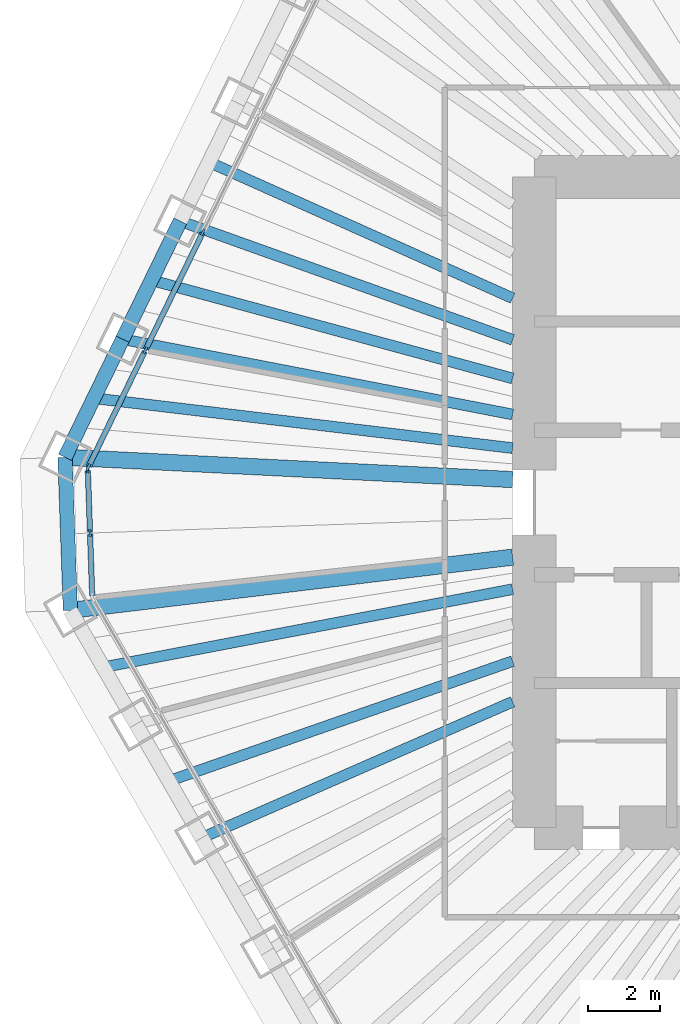
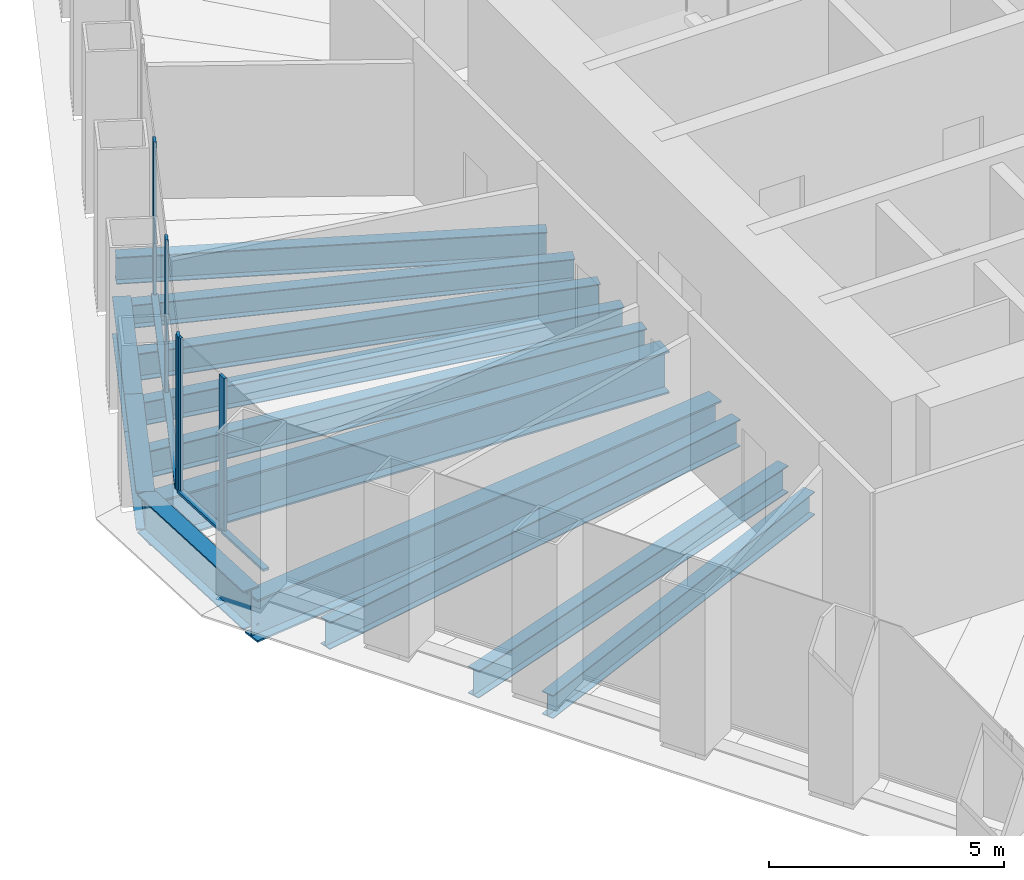
# One storey, part 3 of 13: 13 beams, 9 members, 2 elements without a shape of their own.
"""IFC4 building model written with IfcOpenShell, lengths in metres."""

import ifcopenshell
import ifcopenshell.guid

model = None  # the IFC model being written
_history = None  # IfcOwnerHistory: only IFC2X3 demands one
_inside = {}  # id of a spatial element -> (the spatial element, [elements in it])
_under = {}  # id of a project, library or spatial element -> (it, [spatial elements below it])
_declared = {}  # id of a project -> (the project, [libraries it declares])
_typed = {}  # id of a type object -> (the type object, [elements of that type])
_made_of = {}  # id of a material, layer set ... -> (it, [elements and type objects made of it])


def new_model(schema):
    """Start an empty IFC model of exactly this schema.

    Asked for "IFC4X3", IfcOpenShell would pick the latest addendum, in which some entities
    have other attributes; the version numbers below select the first issue.
    IFC2X3 requires an IfcOwnerHistory on every rooted entity: one is made here for all.
    """
    global model, _history
    if schema == "IFC4X3":
        model = ifcopenshell.file(schema_version=(4, 3, 0, 0))
    else:
        model = ifcopenshell.file(schema=schema)
    _inside.clear()
    _under.clear()
    _declared.clear()
    _typed.clear()
    _made_of.clear()
    _history = None
    if model.schema == "IFC2X3":
        org = make("IfcOrganization", Name="unknown")
        user = make(
            "IfcPersonAndOrganization",
            ThePerson=make("IfcPerson", FamilyName="unknown"),
            TheOrganization=org,
        )
        app = make(
            "IfcApplication",
            ApplicationDeveloper=org,
            Version="unknown",
            ApplicationFullName="unknown",
            ApplicationIdentifier="unknown",
        )
        _history = make(
            "IfcOwnerHistory",
            OwningUser=user,
            OwningApplication=app,
            ChangeAction="ADDED",
            CreationDate=0,
        )
    return model


def make(cls, **values):
    """One entity of the class cls with the attributes given. An attribute that is None is left unset."""
    return model.create_entity(
        cls, **{name: value for name, value in values.items() if value is not None}
    )


def rooted(cls, **values):
    """An entity with a GlobalId (a new one), such as an element, a storey or a relation."""
    return make(cls, GlobalId=ifcopenshell.guid.new(), OwnerHistory=_history, **values)


def si_unit(unit_type, name, prefix=None):
    """IfcSIUnit, for example si_unit("LENGTHUNIT", "METRE", prefix="MILLI")."""
    return make("IfcSIUnit", UnitType=unit_type, Prefix=prefix, Name=name)


def assignment(units):
    """IfcUnitAssignment: the units of a project."""
    return None if units is None else make("IfcUnitAssignment", Units=units)


def point(xyz):
    """IfcCartesianPoint."""
    return None if xyz is None else make("IfcCartesianPoint", Coordinates=xyz)


def direction(xyz):
    """IfcDirection."""
    return None if xyz is None else make("IfcDirection", DirectionRatios=xyz)


def frame(location, z_axis=None, x_axis=None):
    """IfcAxis2Placement3D, a coordinate frame: its origin and axes. An axis left out is left unset."""
    return make(
        "IfcAxis2Placement3D",
        Location=point(location),
        Axis=direction(z_axis),
        RefDirection=direction(x_axis),
    )


def frame_2d(location, x_axis=None):
    """IfcAxis2Placement2D, a coordinate frame in the plane: its origin and x axis."""
    return make(
        "IfcAxis2Placement2D", Location=point(location), RefDirection=direction(x_axis)
    )


def origin():
    """The frame at (0, 0, 0) with its axes left unset."""
    return frame((0.0, 0.0, 0.0))


def origin_2d():
    """The frame at (0, 0) in the plane with its x axis left unset."""
    return frame_2d((0.0, 0.0))


def place(relative_to, where):
    """IfcLocalPlacement: puts the frame where relative to a parent placement (None: the world)."""
    return make(
        "IfcLocalPlacement", PlacementRelTo=relative_to, RelativePlacement=where
    )


def context(
    kind, dimensions, precision=None, world=None, true_north=None, identifier=None
):
    """IfcGeometricRepresentationContext, for example the 3D "Model" context."""
    return make(
        "IfcGeometricRepresentationContext",
        ContextIdentifier=identifier,
        ContextType=kind,
        CoordinateSpaceDimension=dimensions,
        Precision=precision,
        WorldCoordinateSystem=world,
        TrueNorth=true_north,
    )


def subcontext(parent, identifier, kind, view, scale=None):
    """IfcGeometricRepresentationSubContext, for example "Body" below "Model"."""
    return make(
        "IfcGeometricRepresentationSubContext",
        ContextIdentifier=identifier,
        ContextType=kind,
        ParentContext=parent,
        TargetScale=scale,
        TargetView=view,
    )


def project(units=None, contexts=None):
    """IfcProject with its units and contexts."""
    return rooted(
        "IfcProject",
        Name="project",
        RepresentationContexts=contexts,
        UnitsInContext=assignment(units),
    )


def spatial(cls, under=None, at=None, **own):
    """A site, building, storey or space (cls), placed at a placement, below another one or the project."""
    s = rooted(cls, ObjectPlacement=at, **own)
    if under is not None:
        _under.setdefault(under.id(), (under, []))[1].append(s)
    return s


def profile(cls, at=None, kind="AREA", **sizes):
    """A parametric profile (cls). Its sizes go by their IFC names, for example OverallWidth=200.0."""
    return make(cls, ProfileType=kind, Position=at, **sizes)


def rectangle(**sizes):
    """IfcRectangleProfileDef."""
    return profile("IfcRectangleProfileDef", **sizes)


def i_section(**sizes):
    """IfcIShapeProfileDef."""
    return profile("IfcIShapeProfileDef", **sizes)


def extrude(swept, where, along, depth):
    """IfcExtrudedAreaSolid: the profile swept, set in the frame where, extruded along a direction by depth."""
    return make(
        "IfcExtrudedAreaSolid",
        SweptArea=swept,
        Position=where,
        ExtrudedDirection=direction(along),
        Depth=depth,
    )


def shape(context_of_items, identifier, shape_type, items):
    """IfcShapeRepresentation: the items that make up one representation, for example the "Body"."""
    return make(
        "IfcShapeRepresentation",
        ContextOfItems=context_of_items,
        RepresentationIdentifier=identifier,
        RepresentationType=shape_type,
        Items=items,
    )


def material(Name=None, Category=None):
    """IfcMaterial."""
    return make("IfcMaterial", Name=Name, Category=Category)


def material_profile(
    of_material, cross_section, Name=None, Category=None, Priority=None
):
    """IfcMaterialProfile: a cross section and its material."""
    return make(
        "IfcMaterialProfile",
        Name=Name,
        Material=of_material,
        Profile=cross_section,
        Priority=Priority,
        Category=Category,
    )


def profile_set(profiles, Name=None, composite=None):
    """IfcMaterialProfileSet."""
    return make(
        "IfcMaterialProfileSet",
        Name=Name,
        MaterialProfiles=profiles,
        CompositeProfile=composite,
    )


def made_of(thing, what):
    """Note that an element or type object is made of a material, layer set ...; save() writes the relation."""
    if what is not None:
        _made_of.setdefault(what.id(), (what, []))[1].append(thing)
    return thing


def type_object(cls, material=None, **own):
    """A type object (cls), such as IfcWallType, which elements share."""
    return made_of(rooted(cls, **own), material)


def element(
    cls,
    number,
    at=None,
    inside=None,
    cuts=None,
    type_object=None,
    material=None,
    context=None,
    identifier="Body",
    shape_type=None,
    held_by="IfcProductDefinitionShape",
    body=None,
    shapes=None,
    **own,
):
    """One element of the class cls, such as IfcWall. Its Tag is "e" and its number.

    at: its placement. inside: the storey or other place that contains it. cuts: it is an
    opening in that element (IfcRelVoidsElement). A single representation is given by context,
    identifier, shape_type and body (its items); several are given by shapes. held_by: the class
    of the entity that holds the representations. save() writes the other relations.
    """
    e = rooted(cls, Tag="e%d" % number, ObjectPlacement=at, **own)
    if body is not None:
        shapes = [shape(context, identifier, shape_type, body)]
    if shapes is not None:
        e.Representation = make(held_by, Representations=shapes)
    if inside is not None:
        _inside.setdefault(inside.id(), (inside, []))[1].append(e)
    if cuts is not None:
        rooted(
            "IfcRelVoidsElement", RelatingBuildingElement=cuts, RelatedOpeningElement=e
        )
    if type_object is not None:
        _typed.setdefault(type_object.id(), (type_object, []))[1].append(e)
    return made_of(e, material)


def aggregate(whole, parts):
    """IfcRelAggregates: a whole, such as a stair, and the parts it consists of."""
    return rooted("IfcRelAggregates", RelatingObject=whole, RelatedObjects=parts)


def save(model, path):
    """Write the relations noted so far, then the file.

    IfcRelAggregates (storeys below a building ...), IfcRelContainedInSpatialStructure (elements
    in a storey), IfcRelDefinesByType, IfcRelAssociatesMaterial and IfcRelDeclares: one each for
    every whole, place, type object, material and project.
    """
    for whole, parts in _under.values():
        aggregate(whole, parts)
    for where, things in _inside.values():
        rooted(
            "IfcRelContainedInSpatialStructure",
            RelatedElements=things,
            RelatingStructure=where,
        )
    for kind, things in _typed.values():
        rooted("IfcRelDefinesByType", RelatedObjects=things, RelatingType=kind)
    for what, things in _made_of.values():
        rooted("IfcRelAssociatesMaterial", RelatedObjects=things, RelatingMaterial=what)
    for by, libraries in _declared.values():
        rooted("IfcRelDeclares", RelatingContext=by, RelatedDefinitions=libraries)
    model.write(path)


model = new_model("IFC4")

# Units and contexts
model_context = context("Model", 3, precision=1e-05, world=origin(), true_north=direction((0.0, 1.0)))
body_context = subcontext(model_context, "Body", "Model", "MODEL_VIEW")
ifc_project = project(units=[si_unit("LENGTHUNIT", "METRE"), si_unit("AREAUNIT", "SQUARE_METRE"), si_unit("VOLUMEUNIT", "CUBIC_METRE"), si_unit("PLANEANGLEUNIT", "RADIAN"), si_unit("MASSUNIT", "GRAM", prefix="KILO")], contexts=[model_context])

# Site, building, storey
site_placement = place(None, origin())
site = spatial("IfcSite", under=ifc_project, at=site_placement, CompositionType="ELEMENT")
building_placement = place(site_placement, origin())
building = spatial("IfcBuilding", under=site, at=building_placement, Name="Qingtian Harvest Tower", CompositionType="ELEMENT")
storey_placement = place(building_placement, frame((0.0, 0.0, 218.199951171875)))
storey = spatial("IfcBuildingStorey", under=building, at=storey_placement, Name="L47", CompositionType="ELEMENT", Elevation=218.199951171875)

# Beams
ifc_material_1 = material(Name="Steel SM570MC", Category="steel")
ifc_material_profile_1 = material_profile(ifc_material_1, i_section(OverallWidth=0.449951171875, OverallDepth=1.10009765625, WebThickness=0.02197265625, FlangeThickness=0.044921875, at=origin_2d()), Name="H1100x450x22x45")
ifc_profile_set_1 = profile_set([ifc_material_profile_1], Name="Steel SM570MC")
beam_type_1 = type_object("IfcBeamType", Name="Corner floor beam FB8 H1100x450x22x45", PredefinedType="BEAM", material=ifc_profile_set_1)
beam_1_placement = place(storey_placement, frame((-24.833251953125, -2.987548828125, -0.719970703125), z_axis=(0.992841259631, 0.119441337798, 0.0), x_axis=(-0.119441337798, 0.992841259631, 0.0)))
element("IfcBeam", 1, at=beam_1_placement, inside=storey, type_object=beam_type_1, Name="Floor beam FB8 SW6", PredefinedType="BEAM", context=body_context, shape_type="SweptSolid", body=[
    extrude(i_section(OverallWidth=0.449951171875, OverallDepth=1.10009765625, WebThickness=0.02197265625, FlangeThickness=0.044921875, at=origin_2d()), origin(), (0.0, 0.0, 1.0), 12.3212890625),
])
beam_2_placement = place(storey_placement, frame((-24.981201171875, 1.248046875, -0.719970703125), z_axis=(0.998753959075, -0.049905202459, 0.0), x_axis=(0.049905202459, 0.998753959075, 0.0)))
element("IfcBeam", 2, at=beam_2_placement, inside=storey, type_object=beam_type_1, Name="Floor beam FB8 NW0", PredefinedType="BEAM", context=body_context, shape_type="SweptSolid", body=[
    extrude(i_section(OverallWidth=0.449951171875, OverallDepth=1.10009765625, WebThickness=0.02197265625, FlangeThickness=0.044921875, at=origin_2d()), origin(), (0.0, 0.0, 1.0), 12.396484375),
])
ifc_material_2 = material(Name="Steel SN490B", Category="steel")
ifc_material_profile_2 = material_profile(ifc_material_2, i_section(OverallWidth=0.300048828125, OverallDepth=0.60009765625, WebThickness=0.011962890625, FlangeThickness=0.02001953125, at=origin_2d()), Name="H600x300x12x20")
ifc_profile_set_2 = profile_set([ifc_material_profile_2], Name="Steel SN490B")
beam_type_2 = type_object("IfcBeamType", Name="Floor beam FB3 H600x300x12x20", PredefinedType="BEAM", material=ifc_profile_set_2)
beam_3_placement = place(storey_placement, frame((-21.19970703125, -9.281005859375, -0.469970703125), z_axis=(0.916057031544, 0.401048020765, 0.0), x_axis=(-0.401048020765, 0.916057031544, 0.0)))
element("IfcBeam", 3, at=beam_3_placement, inside=storey, type_object=beam_type_2, Name="Floor beam FB3 SW4", PredefinedType="BEAM", context=body_context, shape_type="SweptSolid", body=[
    extrude(i_section(OverallWidth=0.300048828125, OverallDepth=0.60009765625, WebThickness=0.011962890625, FlangeThickness=0.02001953125, at=origin_2d()), origin(), (0.0, 0.0, 1.0), 9.3876953125),
])
beam_4_placement = place(storey_placement, frame((-23.388427734375, 4.513916015625, -0.469970703125), z_axis=(0.981878004162, -0.189514075845, 0.0), x_axis=(0.189514075845, 0.981878004162, 0.0)))
element("IfcBeam", 4, at=beam_4_placement, inside=storey, type_object=beam_type_2, Name="Floor beam FB3 NW1", PredefinedType="BEAM", context=body_context, shape_type="SweptSolid", body=[
    extrude(i_section(OverallWidth=0.300048828125, OverallDepth=0.60009765625, WebThickness=0.011962890625, FlangeThickness=0.02001953125, at=origin_2d()), origin(), (0.0, 0.0, 1.0), 10.987548828125),
])
beam_5_placement = place(storey_placement, frame((-21.79541015625, 7.779541015625, -0.469970703125), z_axis=(0.941800733255, -0.336171650857, 0.0), x_axis=(0.336171650857, 0.941800733255, 0.0)))
element("IfcBeam", 5, at=beam_5_placement, inside=storey, type_object=beam_type_2, Name="Floor beam FB3 NW2", PredefinedType="BEAM", context=body_context, shape_type="SweptSolid", body=[
    extrude(i_section(OverallWidth=0.300048828125, OverallDepth=0.60009765625, WebThickness=0.011962890625, FlangeThickness=0.02001953125, at=origin_2d()), origin(), (0.0, 0.0, 1.0), 9.763427734375),
])
ifc_material_3 = material(Name="Steel SN490B", Category="steel")
ifc_material_profile_3 = material_profile(ifc_material_3, i_section(OverallWidth=0.300048828125, OverallDepth=0.699951171875, WebThickness=0.012939453125, FlangeThickness=0.02392578125, at=origin_2d()), Name="H700x300x13x24")
ifc_profile_set_3 = profile_set([ifc_material_profile_3], Name="Steel SN490B")
beam_type_3 = type_object("IfcBeamType", Name="Floor joist J2 H700x300x13x24", PredefinedType="JOIST", material=ifc_profile_set_3)
beam_6_placement = place(storey_placement, frame((-22.108154296875, -7.707763671875, -0.52001953125), z_axis=(0.944256456951, 0.329210788868, 0.0), x_axis=(-0.329210788868, 0.944256456951, 0.0)))
element("IfcBeam", 6, at=beam_6_placement, inside=storey, type_object=beam_type_3, Name="Floor joist J2 SW4", PredefinedType="JOIST", context=body_context, shape_type="SweptSolid", body=[
    extrude(i_section(OverallWidth=0.300048828125, OverallDepth=0.699951171875, WebThickness=0.012939453125, FlangeThickness=0.02392578125, at=origin_2d()), origin(), (0.0, 0.0, 1.0), 10.0693359375),
])
beam_7_placement = place(storey_placement, frame((-23.9248046875, -4.56103515625, -0.52001953125), z_axis=(0.982309082743, 0.187266830912, 0.0), x_axis=(-0.187266830912, 0.982309082743, 0.0)))
element("IfcBeam", 7, at=beam_7_placement, inside=storey, type_object=beam_type_3, Name="Floor joist J2 SW5", PredefinedType="JOIST", context=body_context, shape_type="SweptSolid", body=[
    extrude(i_section(OverallWidth=0.300048828125, OverallDepth=0.699951171875, WebThickness=0.012939453125, FlangeThickness=0.02392578125, at=origin_2d()), origin(), (0.0, 0.0, 1.0), 11.528564453125),
])
beam_8_placement = place(storey_placement, frame((-24.184814453125, 2.880859375, -0.52001953125), z_axis=(0.992980727423, -0.11827626544, 0.0), x_axis=(0.11827626544, 0.992980727423, 0.0)))
element("IfcBeam", 8, at=beam_8_placement, inside=storey, type_object=beam_type_3, Name="Floor joist J2 NW0", PredefinedType="JOIST", context=body_context, shape_type="SweptSolid", body=[
    extrude(i_section(OverallWidth=0.300048828125, OverallDepth=0.699951171875, WebThickness=0.012939453125, FlangeThickness=0.02392578125, at=origin_2d()), origin(), (0.0, 0.0, 1.0), 11.66650390625),
])
beam_9_placement = place(storey_placement, frame((-22.591796875, 6.146728515625, -0.52001953125), z_axis=(0.964923062728, -0.26253282274, 0.0), x_axis=(0.26253282274, 0.964923062728, 0.0)))
element("IfcBeam", 9, at=beam_9_placement, inside=storey, type_object=beam_type_3, Name="Floor joist J2 NW1", PredefinedType="JOIST", context=body_context, shape_type="SweptSolid", body=[
    extrude(i_section(OverallWidth=0.300048828125, OverallDepth=0.699951171875, WebThickness=0.012939453125, FlangeThickness=0.02392578125, at=origin_2d()), origin(), (0.0, 0.0, 1.0), 10.35498046875),
])
beam_10_placement = place(storey_placement, frame((-20.9990234375, 9.41259765625, -0.52001953125), z_axis=(0.912515128421, -0.409042956671, 0.0), x_axis=(0.409042956671, 0.912515128421, 0.0)))
element("IfcBeam", 10, at=beam_10_placement, inside=storey, type_object=beam_type_3, Name="Floor joist J2 NW2", PredefinedType="JOIST", context=body_context, shape_type="SweptSolid", body=[
    extrude(i_section(OverallWidth=0.300048828125, OverallDepth=0.699951171875, WebThickness=0.012939453125, FlangeThickness=0.02392578125, at=origin_2d()), origin(), (0.0, 0.0, 1.0), 9.2041015625),
])

# Curtain wall, members
ifc_material_4 = material(Name="Bronze-anodised aluminium curtain wall", Category="aluminium")
curtain_wall_type = type_object("IfcCurtainWallType", Name="Curtain wall CW4 office", PredefinedType="USERDEFINED", material=ifc_material_4)
curtain_wall_1_placement = place(storey_placement, origin())
curtain_wall_1 = element("IfcCurtainWall", 11, at=curtain_wall_1_placement, inside=storey, type_object=curtain_wall_type, Name="Curtain wall CW4 L47 SWC", ObjectType="RECESSED CURTAIN WALL", PredefinedType="USERDEFINED")
ifc_material_5 = material(Name="Bronze-anodised aluminium mullion", Category="aluminium")
ifc_material_profile_4 = material_profile(ifc_material_5, rectangle(XDim=0.06494140625, YDim=0.199951171875, at=origin_2d()), Name="AL 65x200")
ifc_profile_set_4 = profile_set([ifc_material_profile_4], Name="Bronze-anodised aluminium mullion")
member_type_1 = type_object("IfcMemberType", Name="Mullion CWM 65x200", PredefinedType="MULLION", material=ifc_profile_set_4)
member_1_placement = place(storey_placement, frame((-24.28955078125, -0.84814453125, 0.0), z_axis=(0.0, 0.0, 1.0), x_axis=(-0.999390827019, -0.034899496703, 0.0)))
member_1 = element("IfcMember", 12, at=member_1_placement, type_object=member_type_1, Name="CW4 mullion 2", PredefinedType="MULLION", context=body_context, shape_type="SweptSolid", body=[
    extrude(rectangle(XDim=0.06494140625, YDim=0.199951171875, at=origin_2d()), origin(), (0.0, 0.0, 1.0), 4.030029296875),
])
member_2_placement = place(storey_placement, frame((-24.350830078125, 0.90869140625, 0.0), z_axis=(0.0, 0.0, 1.0), x_axis=(-0.999390827019, -0.034899496703, 0.0)))
member_2 = element("IfcMember", 13, at=member_2_placement, type_object=member_type_1, Name="CW4 mullion 3", PredefinedType="MULLION", context=body_context, shape_type="SweptSolid", body=[
    extrude(rectangle(XDim=0.06494140625, YDim=0.199951171875, at=origin_2d()), origin(), (0.0, 0.0, 1.0), 4.030029296875),
])

curtain_wall_2_placement = place(storey_placement, origin())
curtain_wall_2 = element("IfcCurtainWall", 14, at=curtain_wall_2_placement, inside=storey, type_object=curtain_wall_type, Name="Curtain wall CW4 L47 NW0-5", ObjectType="RECESSED CURTAIN WALL", PredefinedType="USERDEFINED")
member_3_placement = place(storey_placement, frame((-24.337646484375, 0.970458984375, 0.0), z_axis=(0.0, 0.0, 1.0), x_axis=(-0.898794046299, 0.438371146789, 0.0)))
member_3 = element("IfcMember", 15, at=member_3_placement, type_object=member_type_1, Name="CW4 mullion 1", PredefinedType="MULLION", context=body_context, shape_type="SweptSolid", body=[
    extrude(rectangle(XDim=0.06494140625, YDim=0.199951171875, at=origin_2d()), origin(), (0.0, 0.0, 1.0), 4.030029296875),
])
member_4_placement = place(storey_placement, frame((-22.759033203125, 4.20703125, 0.0), z_axis=(0.0, 0.0, 1.0), x_axis=(-0.898794046299, 0.438371146789, 0.0)))
member_4 = element("IfcMember", 16, at=member_4_placement, type_object=member_type_1, Name="CW4 mullion 2", PredefinedType="MULLION", context=body_context, shape_type="SweptSolid", body=[
    extrude(rectangle(XDim=0.06494140625, YDim=0.199951171875, at=origin_2d()), origin(), (0.0, 0.0, 1.0), 4.030029296875),
])
member_5_placement = place(storey_placement, frame((-21.166259765625, 7.47265625, 0.0), z_axis=(0.0, 0.0, 1.0), x_axis=(-0.898794046299, 0.438371146789, 0.0)))
member_5 = element("IfcMember", 17, at=member_5_placement, type_object=member_type_1, Name="CW4 mullion 3", PredefinedType="MULLION", context=body_context, shape_type="SweptSolid", body=[
    extrude(rectangle(XDim=0.06494140625, YDim=0.199951171875, at=origin_2d()), origin(), (0.0, 0.0, 1.0), 4.030029296875),
])

# Beams
ifc_material_6 = material(Name="Steel SN490B", Category="steel")
ifc_material_profile_5 = material_profile(ifc_material_6, i_section(OverallWidth=0.39990234375, OverallDepth=1.0, WebThickness=0.01904296875, FlangeThickness=0.035888671875, at=origin_2d()), Name="H1000x400x19x36")
ifc_profile_set_5 = profile_set([ifc_material_profile_5], Name="Steel SN490B")
beam_type_4 = type_object("IfcBeamType", Name="Spandrel beam SB3 H1000x400x19x36", PredefinedType="SPANDREL", material=ifc_profile_set_5)
beam_11_placement = place(storey_placement, frame((-24.833251953125, -2.987548828125, -0.5), z_axis=(-0.034908677553, 0.999390506375, 0.0), x_axis=(-0.999390506375, -0.034908677553, 0.0)))
element("IfcBeam", 18, at=beam_11_placement, inside=storey, type_object=beam_type_4, Name="Spandrel SB3 SWC", PredefinedType="SPANDREL", context=body_context, shape_type="SweptSolid", body=[
    extrude(i_section(OverallWidth=0.39990234375, OverallDepth=1.0, WebThickness=0.01904296875, FlangeThickness=0.035888671875, at=origin_2d()), origin(), (0.0, 0.0, 1.0), 4.23828125),
])
for number, where, z_axis, x_axis, name in (
    (19, (-24.981201171875, 1.248046875, -0.5), (0.438349498419, 0.898804604592, 0.0), (-0.898804604592, 0.438349498419, 0.0), "Spandrel SB3 NW0"),
    (20, (-23.388427734375, 4.513916015625, -0.5), (0.438430251153, 0.898765216769, 0.0), (-0.898765216769, 0.438430251153, 0.0), "Spandrel SB3 NW1"),
):
    element("IfcBeam", number, at=place(storey_placement, frame(where, z_axis=z_axis, x_axis=x_axis)), inside=storey, type_object=beam_type_4, Name=name, PredefinedType="SPANDREL", context=body_context, shape_type="SweptSolid", body=[
        extrude(i_section(OverallWidth=0.39990234375, OverallDepth=1.0, WebThickness=0.01904296875, FlangeThickness=0.035888671875, at=origin_2d()), origin(), (0.0, 0.0, 1.0), 3.633544921875),
    ])

# Member
ifc_material_7 = material(Name="Bronze-anodised aluminium transom", Category="aluminium")
ifc_material_profile_6 = material_profile(ifc_material_7, rectangle(XDim=0.14990234375, YDim=0.06494140625, at=origin_2d()), Name="AL 65x150")
ifc_profile_set_6 = profile_set([ifc_material_profile_6], Name="Bronze-anodised aluminium transom")
member_type_2 = type_object("IfcMemberType", Name="Transom CWT 65x150", PredefinedType="USERDEFINED", material=ifc_profile_set_6)
member_6_placement = place(storey_placement, frame((-24.229248046875, -2.572509765625, 0.032470703125), z_axis=(-0.034899362377, 0.99939083171, 0.0), x_axis=(-0.99939083171, -0.034899362377, 0.0)))
member_6 = element("IfcMember", 21, at=member_6_placement, type_object=member_type_2, Name="CW4 transom 1.1", ObjectType="TRANSOM", PredefinedType="USERDEFINED", context=body_context, shape_type="SweptSolid", body=[
    extrude(rectangle(XDim=0.14990234375, YDim=0.06494140625, at=origin_2d()), origin(), (0.0, 0.0, 1.0), 1.69287109375),
])

member_7_placement = place(storey_placement, frame((-24.29052734375, -0.815673828125, 0.032470703125), z_axis=(-0.034899362377, 0.99939083171, 0.0), x_axis=(-0.99939083171, -0.034899362377, 0.0)))
member_7 = element("IfcMember", 22, at=member_7_placement, type_object=member_type_2, Name="CW4 transom 2.1", ObjectType="TRANSOM", PredefinedType="USERDEFINED", context=body_context, shape_type="SweptSolid", body=[
    extrude(rectangle(XDim=0.14990234375, YDim=0.06494140625, at=origin_2d()), origin(), (0.0, 0.0, 1.0), 1.69287109375),
])

aggregate(curtain_wall_1, [member_1, member_2, member_6, member_7])

member_8_placement = place(storey_placement, frame((-24.323486328125, 0.99951171875, 0.032470703125), z_axis=(0.438354255898, 0.898802284341, 0.0), x_axis=(-0.898802284341, 0.438354255898, 0.0)))
member_8 = element("IfcMember", 23, at=member_8_placement, type_object=member_type_2, Name="CW4 transom 1.1", ObjectType="TRANSOM", PredefinedType="USERDEFINED", context=body_context, shape_type="SweptSolid", body=[
    extrude(rectangle(XDim=0.14990234375, YDim=0.06494140625, at=origin_2d()), origin(), (0.0, 0.0, 1.0), 3.5361328125),
])

member_9_placement = place(storey_placement, frame((-22.744873046875, 4.236083984375, 0.032470703125), z_axis=(0.438325233634, 0.89881643819, 0.0), x_axis=(-0.89881643819, 0.438325233634, 0.0)))
member_9 = element("IfcMember", 24, at=member_9_placement, type_object=member_type_2, Name="CW4 transom 2.1", ObjectType="TRANSOM", PredefinedType="USERDEFINED", context=body_context, shape_type="SweptSolid", body=[
    extrude(rectangle(XDim=0.14990234375, YDim=0.06494140625, at=origin_2d()), origin(), (0.0, 0.0, 1.0), 3.568603515625),
])

aggregate(curtain_wall_2, [member_3, member_4, member_5, member_8, member_9])

save(model, "model.ifc")
